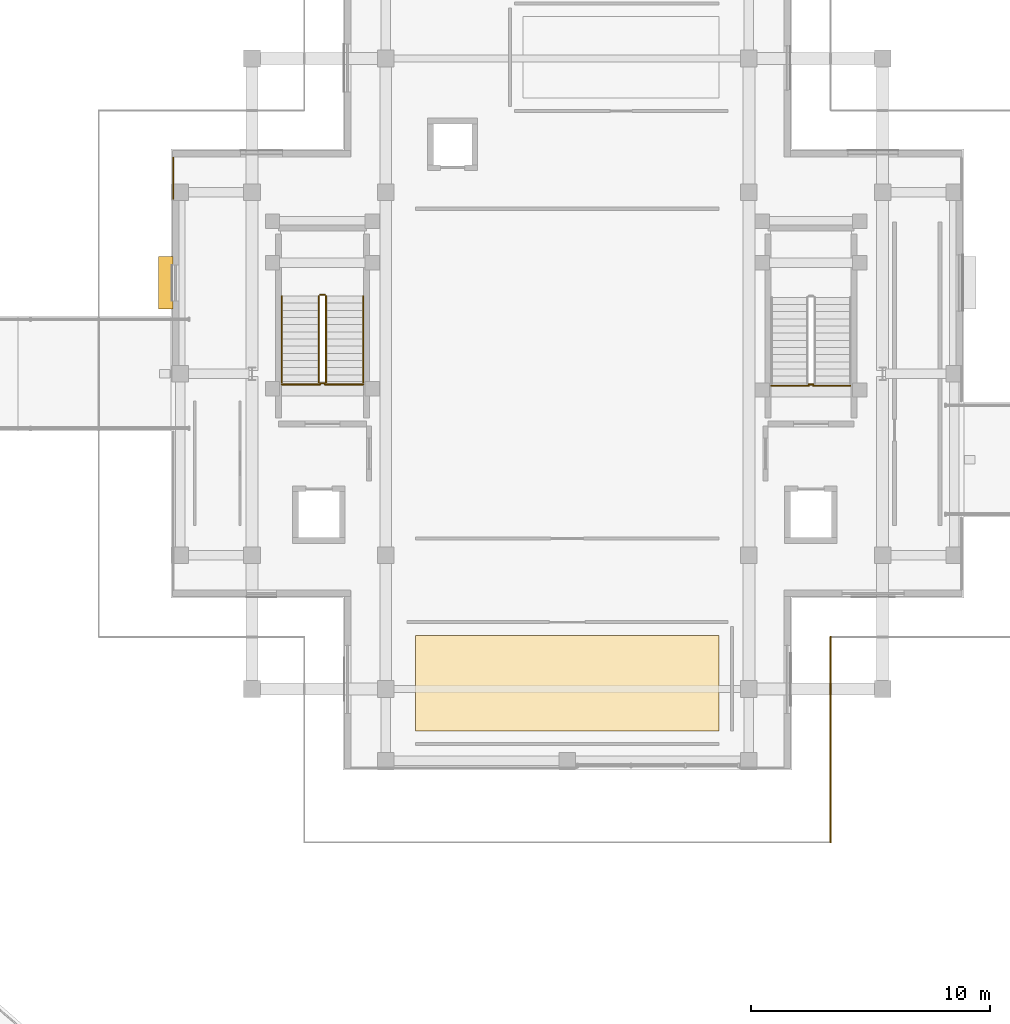
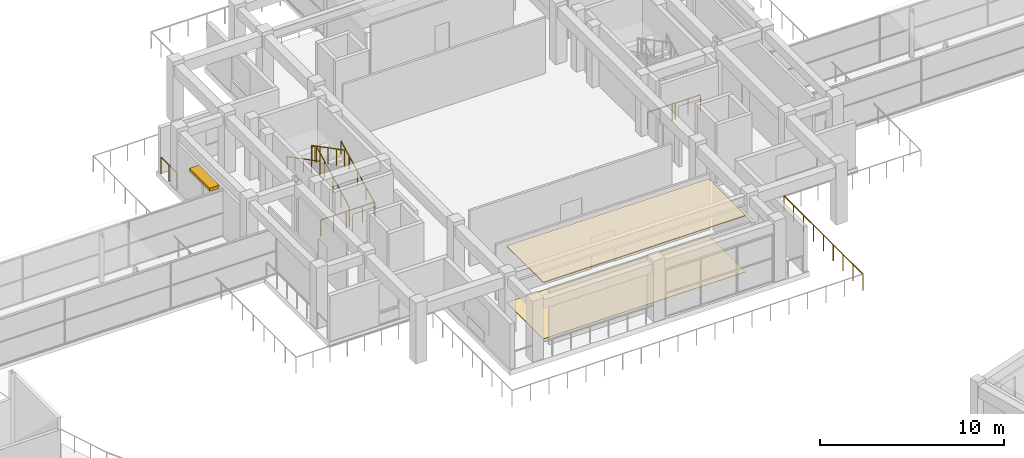
# One storey, part 44 of 53: 13 railings, 2 coverings, 1 shading device.
"""IFC4 building model written with IfcOpenShell, lengths in metres."""

from ifc_helpers import new_model, si_unit, direction, frame, origin, origin_2d, place, context, subcontext, project, spatial, polyline, rectangle, outline, extrude, material, layer, layer_set, type_object, element, save


model = new_model("IFC4")

# Units and contexts
model_context = context("Model", 3, precision=1e-05, world=origin(), true_north=direction((0.0, 1.0)))
body_context = subcontext(model_context, "Body", "Model", "MODEL_VIEW")
ifc_project = project(units=[si_unit("LENGTHUNIT", "METRE"), si_unit("AREAUNIT", "SQUARE_METRE"), si_unit("VOLUMEUNIT", "CUBIC_METRE"), si_unit("PLANEANGLEUNIT", "RADIAN"), si_unit("MASSUNIT", "GRAM", prefix="KILO")], contexts=[model_context])

# Site, building, storey
site_placement = place(None, origin())
site = spatial("IfcSite", under=ifc_project, at=site_placement, CompositionType="ELEMENT")
building_placement = place(site_placement, origin())
building = spatial("IfcBuilding", under=site, at=building_placement, Name="Saryqyr Civic Hall", CompositionType="ELEMENT")
storey_placement = place(building_placement, frame((0.0, 0.0, 21.300048828125)))
storey = spatial("IfcBuildingStorey", under=building, at=storey_placement, Name="L05", CompositionType="ELEMENT", Elevation=21.300048828125)

# Railing
ifc_material_1 = material(Name="Stainless steel and laminated glass", Category="steel")
ifc_layer_1 = layer(ifc_material_1, 0.06005859375, Name="Stainless steel and laminated glass")
ifc_layer_set_1 = layer_set([ifc_layer_1], Name="Stainless steel and laminated glass")
railing_type_1 = type_object("IfcRailingType", Name="ENV-RLG-BAL-1100", PredefinedType="BALUSTRADE", material=ifc_layer_set_1)
railing_1_placement = place(storey_placement, frame((68.02001953125, 64.3798828125, 0.0)))
element("IfcRailing", 1, at=railing_1_placement, inside=storey, type_object=railing_type_1, Name="Perimeter safety balustrade V1-STEPG-L05-G02", PredefinedType="BALUSTRADE", context=body_context, shape_type="SweptSolid", body=[
    extrude(rectangle(XDim=0.048095703125, YDim=0.048095703125, at=origin_2d()), frame((0.0, 0.0, 1.076171875), z_axis=(0.0, 1.0, 0.0), x_axis=(-1.0, 0.0, 0.0)), (0.0, 0.0, 1.0), 8.60009765625),
    extrude(rectangle(XDim=0.0419921875, YDim=0.0419921875, at=origin_2d()), origin(), (0.0, 0.0, 1.0), 1.052001953125),
    extrude(rectangle(XDim=0.0419921875, YDim=0.0419921875, at=origin_2d()), frame((0.0, 1.074951171875, 0.0)), (0.0, 0.0, 1.0), 1.052001953125),
    extrude(rectangle(XDim=0.0419921875, YDim=0.0419921875, at=origin_2d()), frame((0.0, 2.14990234375, 0.0)), (0.0, 0.0, 1.0), 1.052001953125),
    extrude(rectangle(XDim=0.0419921875, YDim=0.0419921875, at=origin_2d()), frame((0.0, 3.22509765625, 0.0)), (0.0, 0.0, 1.0), 1.052001953125),
    extrude(rectangle(XDim=0.0419921875, YDim=0.0419921875, at=origin_2d()), frame((0.0, 4.300048828125, 0.0)), (0.0, 0.0, 1.0), 1.052001953125),
    extrude(rectangle(XDim=0.0419921875, YDim=0.0419921875, at=origin_2d()), frame((0.0, 5.375, 0.0)), (0.0, 0.0, 1.0), 1.052001953125),
    extrude(rectangle(XDim=0.0419921875, YDim=0.0419921875, at=origin_2d()), frame((0.0, 6.4501953125, 0.0)), (0.0, 0.0, 1.0), 1.052001953125),
    extrude(rectangle(XDim=0.0419921875, YDim=0.0419921875, at=origin_2d()), frame((0.0, 7.525146484375, 0.0)), (0.0, 0.0, 1.0), 1.052001953125),
    extrude(rectangle(XDim=0.0419921875, YDim=0.0419921875, at=origin_2d()), frame((0.0, 8.60009765625, 0.0)), (0.0, 0.0, 1.0), 1.052001953125),
])

# Shading device
ifc_material_2 = material(Name="Warm brushed brass-anodised aluminium", Category="aluminium")
shading_device_type = type_object("IfcShadingDeviceType", Name="ENV-SHD-LOUVRE", PredefinedType="JALOUSIE", material=ifc_material_2)
shading_device_placement = place(storey_placement, frame((40.18505859375, 87.800048828125, 2.884765625), z_axis=(0.0, 0.0, 1.0), x_axis=(0.0, 1.0, 0.0)))
element("IfcShadingDevice", 2, at=shading_device_placement, inside=storey, type_object=shading_device_type, Name="Warm brass exterior louvre hood L05-02", PredefinedType="JALOUSIE", context=body_context, shape_type="SweptSolid", body=[
    extrude(rectangle(XDim=2.199951171875, YDim=0.60009765625, at=origin_2d()), origin(), (0.0, 0.0, 1.0), 0.199951171875),
])

# Coverings
ifc_material_3 = material(Name="Mineral-fibre acoustic ceiling tile", Category="acoustic_tile")
ifc_layer_2 = layer(ifc_material_3, 0.06005859375, Name="Mineral-fibre acoustic ceiling tile")
ifc_layer_set_2 = layer_set([ifc_layer_2], Name="Mineral-fibre acoustic ceiling tile")
covering_type_1 = type_object("IfcCoveringType", Name="INT-COV-CEIL-60", PredefinedType="CEILING", material=ifc_layer_set_2)
covering_1_placement = place(storey_placement, frame((0.0, 0.0, 3.72998046875)))
element("IfcCovering", 3, at=covering_1_placement, inside=storey, type_object=covering_type_1, Name="Acoustic ceiling Council Chamber Members' Antechamber South", PredefinedType="CEILING", context=body_context, shape_type="SweptSolid", body=[
    extrude(outline(polyline([(50.64990234375, 69.050048828125), (50.64990234375, 73.050048828125), (63.35009765625, 73.050048828125), (63.35009765625, 69.050048828125), (50.64990234375, 69.050048828125)])), origin(), (0.0, 0.0, 1.0), 0.06005859375),
])
ifc_material_4 = material(Name="Polished terrazzo tile", Category="stone")
ifc_layer_3 = layer(ifc_material_4, 0.030029296875, Name="Polished terrazzo tile")
ifc_layer_set_3 = layer_set([ifc_layer_3], Name="Polished terrazzo tile")
covering_type_2 = type_object("IfcCoveringType", Name="INT-COV-FLR-30", PredefinedType="FLOORING", material=ifc_layer_set_3)
covering_2_placement = place(storey_placement, origin())
element("IfcCovering", 4, at=covering_2_placement, inside=storey, type_object=covering_type_2, Name="Polished terrazzo flooring Council Chamber Members' Antechamber South", PredefinedType="FLOORING", context=body_context, shape_type="SweptSolid", body=[
    extrude(outline(polyline([(50.64990234375, 69.050048828125), (50.64990234375, 73.050048828125), (63.35009765625, 73.050048828125), (63.35009765625, 69.050048828125), (50.64990234375, 69.050048828125)])), origin(), (0.0, 0.0, 1.0), 0.030029296875),
])

# Railings
ifc_material_5 = material(Name="Warm brushed brass and laminated glass", Category="glass")
ifc_layer_4 = layer(ifc_material_5, 0.06005859375, Name="Warm brushed brass and laminated glass")
ifc_layer_set_4 = layer_set([ifc_layer_4], Name="Warm brushed brass and laminated glass")
railing_type_2 = type_object("IfcRailingType", Name="INT-RLG-BAL-1100", PredefinedType="BALUSTRADE", material=ifc_layer_set_4)
railing_2_placement = place(storey_placement, frame((46.89990234375, 83.64990234375, 0.15576171875)))
element("IfcRailing", 5, at=railing_2_placement, inside=storey, type_object=railing_type_2, Name="L05 ST-1 stair guard 1", PredefinedType="BALUSTRADE", context=body_context, shape_type="SweptSolid", body=[
    extrude(rectangle(XDim=0.048095703125, YDim=0.048095703125, at=origin_2d()), frame((0.0, 0.0, 1.076171875), z_axis=(0.0, 0.887510277101, 0.460787920893), x_axis=(-1.0, 0.0, 0.0)), (0.0, 0.0, 1.0), 4.056396484375),
    extrude(rectangle(XDim=0.0419921875, YDim=0.0419921875, at=origin_2d()), origin(), (0.0, 0.0, 1.0), 1.052001953125),
    extrude(rectangle(XDim=0.0419921875, YDim=0.0419921875, at=origin_2d()), frame((0.0, 0.89990234375, 0.46728515625)), (0.0, 0.0, 1.0), 1.052001953125),
    extrude(rectangle(XDim=0.0419921875, YDim=0.0419921875, at=origin_2d()), frame((0.0, 1.800048828125, 0.9345703125)), (0.0, 0.0, 1.0), 1.052001953125),
    extrude(rectangle(XDim=0.0419921875, YDim=0.0419921875, at=origin_2d()), frame((0.0, 2.7001953125, 1.40185546875)), (0.0, 0.0, 1.0), 1.052001953125),
    extrude(rectangle(XDim=0.0419921875, YDim=0.0419921875, at=origin_2d()), frame((0.0, 3.60009765625, 1.869140625)), (0.0, 0.0, 1.0), 1.052001953125),
])
railing_3_placement = place(storey_placement, frame((46.85009765625, 87.300048828125, 2.02490234375)))
element("IfcRailing", 6, at=railing_3_placement, inside=storey, type_object=railing_type_2, Name="L05 ST-1 stair guard 2", PredefinedType="BALUSTRADE", context=body_context, shape_type="SweptSolid", body=[
    extrude(rectangle(XDim=0.048095703125, YDim=0.048095703125, at=origin_2d()), frame((0.0, 0.0, 1.076171875), z_axis=(-1.0, 0.0, 0.0), x_axis=(0.0, -1.0, 0.0)), (0.0, 0.0, 1.0), 0.2001953125),
    extrude(rectangle(XDim=0.0419921875, YDim=0.0419921875, at=origin_2d()), origin(), (0.0, 0.0, 1.0), 1.052001953125),
    extrude(rectangle(XDim=0.0419921875, YDim=0.0419921875, at=origin_2d()), frame((-0.2001953125, 0.0, 0.0)), (0.0, 0.0, 1.0), 1.052001953125),
])
railing_4_placement = place(storey_placement, frame((46.60009765625, 87.25, 2.1806640625)))
element("IfcRailing", 7, at=railing_4_placement, inside=storey, type_object=railing_type_2, Name="L05 ST-1 stair guard 3", PredefinedType="BALUSTRADE", context=body_context, shape_type="SweptSolid", body=[
    extrude(rectangle(XDim=0.048095703125, YDim=0.048095703125, at=origin_2d()), frame((0.0, 0.0, 1.076171875), z_axis=(0.0, -0.887485663002, 0.460835326299), x_axis=(1.0, 0.0, 0.0)), (0.0, 0.0, 1.0), 4.056396484375),
    extrude(rectangle(XDim=0.0419921875, YDim=0.0419921875, at=origin_2d()), origin(), (0.0, 0.0, 1.0), 1.052001953125),
    extrude(rectangle(XDim=0.0419921875, YDim=0.0419921875, at=origin_2d()), frame((0.0, -0.89990234375, 0.46728515625)), (0.0, 0.0, 1.0), 1.052001953125),
    extrude(rectangle(XDim=0.0419921875, YDim=0.0419921875, at=origin_2d()), frame((0.0, -1.800048828125, 0.9345703125)), (0.0, 0.0, 1.0), 1.052001953125),
    extrude(rectangle(XDim=0.0419921875, YDim=0.0419921875, at=origin_2d()), frame((0.0, -2.7001953125, 1.402099609375)), (0.0, 0.0, 1.0), 1.052001953125),
    extrude(rectangle(XDim=0.0419921875, YDim=0.0419921875, at=origin_2d()), frame((0.0, -3.60009765625, 1.869384765625)), (0.0, 0.0, 1.0), 1.052001953125),
])
railing_5_placement = place(storey_placement, frame((46.85009765625, 83.60009765625, 0.0)))
element("IfcRailing", 8, at=railing_5_placement, inside=storey, type_object=railing_type_2, Name="L05 ST-1 stair guard 4", PredefinedType="BALUSTRADE", context=body_context, shape_type="SweptSolid", body=[
    extrude(rectangle(XDim=0.048095703125, YDim=0.048095703125, at=origin_2d()), frame((0.0, 0.0, 1.076171875), z_axis=(-1.0, 0.0, 0.0), x_axis=(0.0, -1.0, 0.0)), (0.0, 0.0, 1.0), 0.2001953125),
    extrude(rectangle(XDim=0.0419921875, YDim=0.0419921875, at=origin_2d()), origin(), (0.0, 0.0, 1.0), 1.052001953125),
    extrude(rectangle(XDim=0.0419921875, YDim=0.0419921875, at=origin_2d()), frame((-0.2001953125, 0.0, 0.0)), (0.0, 0.0, 1.0), 1.052001953125),
])
railing_6_placement = place(storey_placement, frame((67.300048828125, 83.550048828125, 0.0)))
element("IfcRailing", 9, at=railing_6_placement, inside=storey, type_object=railing_type_2, Name="L05 ST-2 stair guard 4", PredefinedType="BALUSTRADE", context=body_context, shape_type="SweptSolid", body=[
    extrude(rectangle(XDim=0.048095703125, YDim=0.048095703125, at=origin_2d()), frame((0.0, 0.0, 1.076171875), z_axis=(-1.0, 0.0, 0.0), x_axis=(0.0, -1.0, 0.0)), (0.0, 0.0, 1.0), 0.199951171875),
    extrude(rectangle(XDim=0.0419921875, YDim=0.0419921875, at=origin_2d()), origin(), (0.0, 0.0, 1.0), 1.052001953125),
    extrude(rectangle(XDim=0.0419921875, YDim=0.0419921875, at=origin_2d()), frame((-0.199951171875, 0.0, 0.0)), (0.0, 0.0, 1.0), 1.052001953125),
])
railing_7_placement = place(storey_placement, frame((40.5, 91.31494140625, 0.0)))
element("IfcRailing", 10, at=railing_7_placement, inside=storey, type_object=railing_type_2, Name="Interior deck safety balustrade L05-001", PredefinedType="BALUSTRADE", context=body_context, shape_type="SweptSolid", body=[
    extrude(rectangle(XDim=0.048095703125, YDim=0.048095703125, at=origin_2d()), frame((0.0, 0.0, 1.09619140625), z_axis=(0.0, 1.0, 0.0), x_axis=(-1.0, 0.0, 0.0)), (0.0, 0.0, 1.0), 1.72998046875),
    extrude(rectangle(XDim=0.0419921875, YDim=0.0419921875, at=origin_2d()), origin(), (0.0, 0.0, 1.0), 1.072021484375),
    extrude(rectangle(XDim=0.0419921875, YDim=0.0419921875, at=origin_2d()), frame((0.0, 0.864990234375, 0.0)), (0.0, 0.0, 1.0), 1.072021484375),
    extrude(rectangle(XDim=0.0419921875, YDim=0.0419921875, at=origin_2d()), frame((0.0, 1.72998046875, 0.0)), (0.0, 0.0, 1.0), 1.072021484375),
])
railing_8_placement = place(storey_placement, frame((65.544921875, 83.5, 0.0)))
element("IfcRailing", 11, at=railing_8_placement, inside=storey, type_object=railing_type_2, Name="Interior deck safety balustrade L05-065", PredefinedType="BALUSTRADE", context=body_context, shape_type="SweptSolid", body=[
    extrude(rectangle(XDim=0.048095703125, YDim=0.048095703125, at=origin_2d()), frame((0.0, 0.0, 1.09619140625), z_axis=(1.0, 0.0, 0.0), x_axis=(0.0, 1.0, 0.0)), (0.0, 0.0, 1.0), 1.55517578125),
    extrude(rectangle(XDim=0.0419921875, YDim=0.0419921875, at=origin_2d()), origin(), (0.0, 0.0, 1.0), 1.072021484375),
    extrude(rectangle(XDim=0.0419921875, YDim=0.0419921875, at=origin_2d()), frame((0.777587890625, 0.0, 0.0)), (0.0, 0.0, 1.0), 1.072021484375),
    extrude(rectangle(XDim=0.0419921875, YDim=0.0419921875, at=origin_2d()), frame((1.55517578125, 0.0, 0.0)), (0.0, 0.0, 1.0), 1.072021484375),
])
railing_9_placement = place(storey_placement, frame((67.300048828125, 83.5, 0.0)))
element("IfcRailing", 12, at=railing_9_placement, inside=storey, type_object=railing_type_2, Name="Interior deck safety balustrade L05-066", PredefinedType="BALUSTRADE", context=body_context, shape_type="SweptSolid", body=[
    extrude(rectangle(XDim=0.048095703125, YDim=0.048095703125, at=origin_2d()), frame((0.0, 0.0, 1.09619140625), z_axis=(1.0, 0.0, 0.0), x_axis=(0.0, 1.0, 0.0)), (0.0, 0.0, 1.0), 1.554931640625),
    extrude(rectangle(XDim=0.0419921875, YDim=0.0419921875, at=origin_2d()), origin(), (0.0, 0.0, 1.0), 1.072021484375),
    extrude(rectangle(XDim=0.0419921875, YDim=0.0419921875, at=origin_2d()), frame((0.77734375, 0.0, 0.0)), (0.0, 0.0, 1.0), 1.072021484375),
    extrude(rectangle(XDim=0.0419921875, YDim=0.0419921875, at=origin_2d()), frame((1.554931640625, 0.0, 0.0)), (0.0, 0.0, 1.0), 1.072021484375),
])
for number, where, name in (
    (13, (45.044921875, 83.550048828125, 0.0), "Interior deck safety balustrade L05-067"),
    (14, (46.85009765625, 83.550048828125, 0.0), "Interior deck safety balustrade L05-068"),
):
    element("IfcRailing", number, at=place(storey_placement, frame(where)), inside=storey, type_object=railing_type_2, Name=name, PredefinedType="BALUSTRADE", context=body_context, shape_type="SweptSolid", body=[
        extrude(rectangle(XDim=0.048095703125, YDim=0.048095703125, at=origin_2d()), frame((0.0, 0.0, 1.09619140625), z_axis=(1.0, 0.0, 0.0), x_axis=(0.0, 1.0, 0.0)), (0.0, 0.0, 1.0), 1.60498046875),
        extrude(rectangle(XDim=0.0419921875, YDim=0.0419921875, at=origin_2d()), origin(), (0.0, 0.0, 1.0), 1.072021484375),
        extrude(rectangle(XDim=0.0419921875, YDim=0.0419921875, at=origin_2d()), frame((0.802490234375, 0.0, 0.0)), (0.0, 0.0, 1.0), 1.072021484375),
        extrude(rectangle(XDim=0.0419921875, YDim=0.0419921875, at=origin_2d()), frame((1.60498046875, 0.0, 0.0)), (0.0, 0.0, 1.0), 1.072021484375),
    ])
ifc_material_6 = material(Name="Stainless steel", Category="steel")
ifc_layer_5 = layer(ifc_material_6, 0.050048828125, Name="Stainless steel")
ifc_layer_set_5 = layer_set([ifc_layer_5], Name="Stainless steel")
railing_type_3 = type_object("IfcRailingType", Name="INT-RLG-HND-900", PredefinedType="HANDRAIL", material=ifc_layer_set_5)
railing_10_placement = place(storey_placement, frame((48.449951171875, 83.64990234375, 0.15576171875)))
element("IfcRailing", 15, at=railing_10_placement, inside=storey, type_object=railing_type_3, Name="L05 ST-1 stair handrail 1", PredefinedType="HANDRAIL", context=body_context, shape_type="SweptSolid", body=[
    extrude(rectangle(XDim=0.048095703125, YDim=0.048095703125, at=origin_2d()), frame((0.0, 0.0, 0.8759765625), z_axis=(0.0, 0.887510277101, 0.460787920893), x_axis=(-1.0, 0.0, 0.0)), (0.0, 0.0, 1.0), 4.056396484375),
    extrude(rectangle(XDim=0.0419921875, YDim=0.0419921875, at=origin_2d()), origin(), (0.0, 0.0, 1.0), 0.851806640625),
    extrude(rectangle(XDim=0.0419921875, YDim=0.0419921875, at=origin_2d()), frame((0.0, 0.89990234375, 0.46728515625)), (0.0, 0.0, 1.0), 0.851806640625),
    extrude(rectangle(XDim=0.0419921875, YDim=0.0419921875, at=origin_2d()), frame((0.0, 1.800048828125, 0.9345703125)), (0.0, 0.0, 1.0), 0.851806640625),
    extrude(rectangle(XDim=0.0419921875, YDim=0.0419921875, at=origin_2d()), frame((0.0, 2.7001953125, 1.40185546875)), (0.0, 0.0, 1.0), 0.851806640625),
    extrude(rectangle(XDim=0.0419921875, YDim=0.0419921875, at=origin_2d()), frame((0.0, 3.60009765625, 1.869140625)), (0.0, 0.0, 1.0), 0.851806640625),
])
railing_11_placement = place(storey_placement, frame((45.050048828125, 87.25, 2.1806640625)))
element("IfcRailing", 16, at=railing_11_placement, inside=storey, type_object=railing_type_3, Name="L05 ST-1 stair handrail 2", PredefinedType="HANDRAIL", context=body_context, shape_type="SweptSolid", body=[
    extrude(rectangle(XDim=0.048095703125, YDim=0.048095703125, at=origin_2d()), frame((0.0, 0.0, 0.8759765625), z_axis=(0.0, -0.887485663002, 0.460835326299), x_axis=(1.0, 0.0, 0.0)), (0.0, 0.0, 1.0), 4.056396484375),
    extrude(rectangle(XDim=0.0419921875, YDim=0.0419921875, at=origin_2d()), origin(), (0.0, 0.0, 1.0), 0.851806640625),
    extrude(rectangle(XDim=0.0419921875, YDim=0.0419921875, at=origin_2d()), frame((0.0, -0.89990234375, 0.46728515625)), (0.0, 0.0, 1.0), 0.851806640625),
    extrude(rectangle(XDim=0.0419921875, YDim=0.0419921875, at=origin_2d()), frame((0.0, -1.800048828125, 0.9345703125)), (0.0, 0.0, 1.0), 0.851806640625),
    extrude(rectangle(XDim=0.0419921875, YDim=0.0419921875, at=origin_2d()), frame((0.0, -2.7001953125, 1.402099609375)), (0.0, 0.0, 1.0), 0.851806640625),
    extrude(rectangle(XDim=0.0419921875, YDim=0.0419921875, at=origin_2d()), frame((0.0, -3.60009765625, 1.869384765625)), (0.0, 0.0, 1.0), 0.851806640625),
])

save(model, "model.ifc")
